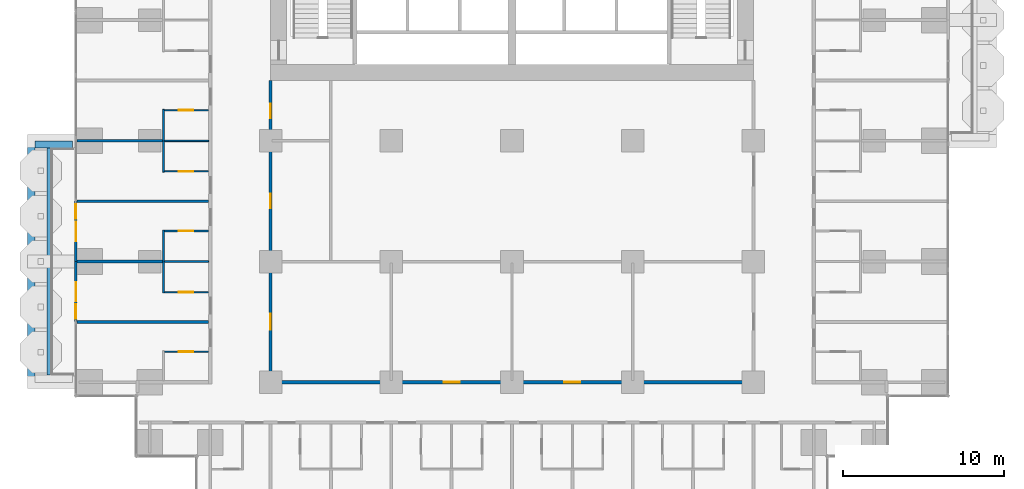
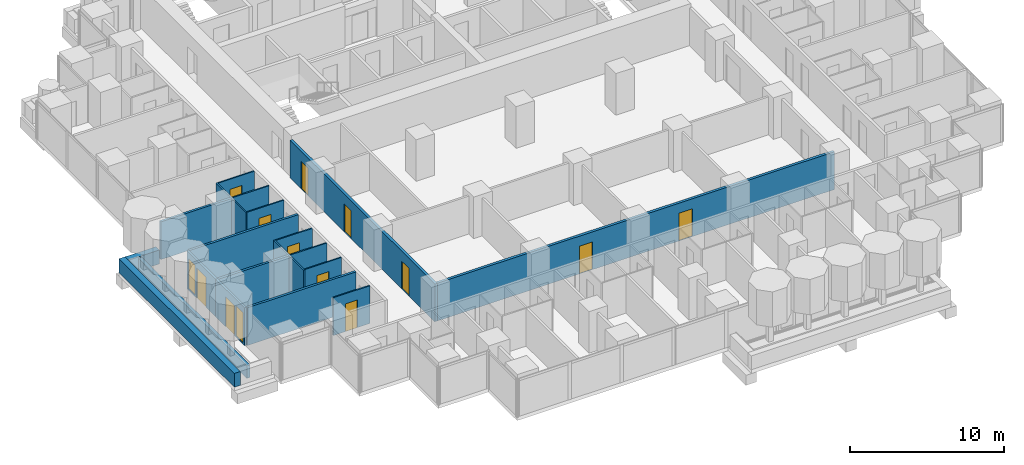
# One storey, part 11 of 19: 20 walls, 12 doors, 2 windows, 14 openings.
"""IFC4 building model written with IfcOpenShell, lengths in metres."""

from ifc_helpers import new_model, si_unit, direction, frame, frame_2d, origin, place, context, subcontext, project, spatial, rectangle, extrude, material, layer, layer_set, type_object, element, fill, save


model = new_model("IFC4")

# Units and contexts
model_context = context("Model", 3, precision=1e-05, world=origin(), true_north=direction((0.0, 1.0)))
body_context = subcontext(model_context, "Body", "Model", "MODEL_VIEW")
ifc_project = project(units=[si_unit("LENGTHUNIT", "METRE"), si_unit("AREAUNIT", "SQUARE_METRE"), si_unit("VOLUMEUNIT", "CUBIC_METRE"), si_unit("PLANEANGLEUNIT", "RADIAN"), si_unit("MASSUNIT", "GRAM", prefix="KILO")], contexts=[model_context])

# Site, building, storey
site_placement = place(None, origin())
site = spatial("IfcSite", under=ifc_project, at=site_placement, CompositionType="ELEMENT")
building_placement = place(site_placement, origin())
building = spatial("IfcBuilding", under=site, at=building_placement, Name="Pilkhan Gate Tower", CompositionType="ELEMENT")
storey_placement = place(building_placement, frame((0.0, 0.0, 39.5)))
storey = spatial("IfcBuildingStorey", under=building, at=storey_placement, Name="L06", CompositionType="ELEMENT", Elevation=39.5)

# Walls
ifc_material_1 = material(Name="Dense blockwork", Category="masonry")
ifc_layer_1 = layer(ifc_material_1, 0.175048828125)
ifc_layer_set_1 = layer_set([ifc_layer_1], Name="Acoustic party wall PW175")
wall_type_1 = type_object("IfcWallType", Name="Acoustic party wall PW175", PredefinedType="PARTITIONING", material=ifc_layer_set_1)
wall_1_placement = place(storey_placement, frame((47.985107421875, 56.25, 0.0), z_axis=(0.0, 0.0, 1.0), x_axis=(1.0, 0.0, 0.0)))
element("IfcWall", 1, at=wall_1_placement, inside=storey, type_object=wall_type_1, Name="Partition L06", PredefinedType="PARTITIONING", context=body_context, shape_type="SweptSolid", body=[
    extrude(rectangle(XDim=8.164794921875, YDim=0.175048828125, at=frame_2d((4.08251953125, 0.0))), origin(), (0.0, 0.0, 1.0), 3.0),
])
wall_2_placement = place(storey_placement, frame((47.985107421875, 60.0, 0.0), z_axis=(0.0, 0.0, 1.0), x_axis=(1.0, 0.0, 0.0)))
element("IfcWall", 2, at=wall_2_placement, inside=storey, type_object=wall_type_1, Name="Partition L06", PredefinedType="PARTITIONING", context=body_context, shape_type="SweptSolid", body=[
    extrude(rectangle(XDim=5.31494140625, YDim=0.175048828125, at=frame_2d((2.657470703125, 0.0))), origin(), (0.0, 0.0, 1.0), 3.0),
])
wall_3_placement = place(storey_placement, frame((47.985107421875, 63.75, 0.0), z_axis=(0.0, 0.0, 1.0), x_axis=(1.0, 0.0, 0.0)))
element("IfcWall", 3, at=wall_3_placement, inside=storey, type_object=wall_type_1, Name="Partition L06", PredefinedType="PARTITIONING", context=body_context, shape_type="SweptSolid", body=[
    extrude(rectangle(XDim=8.164794921875, YDim=0.175048828125, at=frame_2d((4.08251953125, 0.0))), origin(), (0.0, 0.0, 1.0), 3.0),
])
wall_4_placement = place(storey_placement, frame((47.985107421875, 67.5, 0.0), z_axis=(0.0, 0.0, 1.0), x_axis=(1.0, 0.0, 0.0)))
element("IfcWall", 4, at=wall_4_placement, inside=storey, type_object=wall_type_1, Name="Partition L06", PredefinedType="PARTITIONING", context=body_context, shape_type="SweptSolid", body=[
    extrude(rectangle(XDim=5.31494140625, YDim=0.175048828125, at=frame_2d((2.657470703125, 0.0))), origin(), (0.0, 0.0, 1.0), 3.0),
])
ifc_material_2 = material(Name="Concrete C40/50", Category="concrete")
ifc_layer_2 = layer(ifc_material_2, 0.25)
ifc_layer_set_2 = layer_set([ifc_layer_2], Name="Balcony planter BP250")
wall_type_2 = type_object("IfcWallType", Name="Balcony planter BP250", PredefinedType="USERDEFINED", material=ifc_layer_set_2)
wall_5_placement = place(storey_placement, frame((46.22509765625, 52.949951171875, 0.0), z_axis=(0.0, 0.0, 1.0), x_axis=(0.0, 1.0, 0.0)))
element("IfcWall", 5, at=wall_5_placement, inside=storey, type_object=wall_type_2, Name="Balcony planter L06 W", ObjectType="BALCONY PLANTER", PredefinedType="USERDEFINED", context=body_context, shape_type="SweptSolid", body=[
    extrude(rectangle(XDim=14.10009765625, YDim=0.25, at=frame_2d((7.050048828125, 0.0))), origin(), (0.0, 0.0, 1.0), 1.0),
])
ifc_material_3 = material(Name="Board-marked Concrete C40/50", Category="concrete")
ifc_layer_3 = layer(ifc_material_3, 0.449951171875)
ifc_layer_set_3 = layer_set([ifc_layer_3], Name="Balcony planter lip BL450")
wall_type_3 = type_object("IfcWallType", Name="Balcony planter lip BL450", PredefinedType="USERDEFINED", material=ifc_layer_set_3)
wall_6_placement = place(storey_placement, frame((45.125, 52.5, 0.0), z_axis=(0.0, 0.0, 1.0), x_axis=(0.0, 1.0, 0.0)))
element("IfcWall", 6, at=wall_6_placement, inside=storey, type_object=wall_type_3, Name="Balcony planter L06 W", ObjectType="BALCONY PLANTER", PredefinedType="USERDEFINED", context=body_context, shape_type="SweptSolid", body=[
    extrude(rectangle(XDim=15.0, YDim=0.449951171875, at=frame_2d((7.5, 0.0))), origin(), (0.0, 0.0, 1.0), 1.10009765625),
])
wall_7_placement = place(storey_placement, frame((47.679931640625, 67.27490234375, 0.0), z_axis=(0.0, 0.0, 1.0), x_axis=(-1.0, 0.0, 0.0)))
element("IfcWall", 7, at=wall_7_placement, inside=storey, type_object=wall_type_3, Name="Balcony planter L06 W", ObjectType="BALCONY PLANTER", PredefinedType="USERDEFINED", context=body_context, shape_type="SweptSolid", body=[
    extrude(rectangle(XDim=2.329833984375, YDim=0.449951171875, at=frame_2d((1.1650390625, 0.0))), origin(), (0.0, 0.0, 1.0), 1.10009765625),
])

# Wall, openings, doors
ifc_layer_4 = layer(ifc_material_1, 0.199951171875)
ifc_layer_set_4 = layer_set([ifc_layer_4], Name="Corridor wall FW200")
wall_type_4 = type_object("IfcWallType", Name="Corridor wall FW200", PredefinedType="PARTITIONING", material=ifc_layer_set_4)
wall_8_placement = place(storey_placement, frame((60.10009765625, 52.5, 0.0), z_axis=(0.0, 0.0, 1.0), x_axis=(1.0, 0.0, 0.0)))
wall_8 = element("IfcWall", 8, at=wall_8_placement, inside=storey, type_object=wall_type_4, Name="Partition L06", PredefinedType="PARTITIONING", context=body_context, shape_type="SweptSolid", body=[
    extrude(rectangle(XDim=29.7998046875, YDim=0.199951171875, at=frame_2d((14.89990234375, 0.0))), origin(), (0.0, 0.0, 1.0), 3.0),
])
opening_1_placement = place(wall_8_placement, frame((10.64990234375, 0.0, 0.0)))
opening_1 = element("IfcOpeningElement", 9, at=opening_1_placement, cuts=wall_8, Name="Opening L06-68", PredefinedType="OPENING", context=body_context, shape_type="SweptSolid", body=[
    extrude(rectangle(XDim=1.0, YDim=2.199951171875, at=frame_2d((0.5, 1.10009765625))), frame((0.0, 0.10986328125, 0.0), z_axis=(0.0, -1.0, 0.0), x_axis=(1.0, 0.0, 0.0)), (0.0, 0.0, 1.0), 0.219970703125),
])
opening_2_placement = place(wall_8_placement, frame((18.14990234375, 0.0, 0.0)))
opening_2 = element("IfcOpeningElement", 10, at=opening_2_placement, cuts=wall_8, Name="Opening L06-69", PredefinedType="OPENING", context=body_context, shape_type="SweptSolid", body=[
    extrude(rectangle(XDim=1.0, YDim=2.199951171875, at=frame_2d((0.5, 1.10009765625))), frame((0.0, 0.10986328125, 0.0), z_axis=(0.0, -1.0, 0.0), x_axis=(1.0, 0.0, 0.0)), (0.0, 0.0, 1.0), 0.219970703125),
])
ifc_material_4 = material(Name="Timber flush door, 30 minute fire resisting", Category="wood")
door_type_1 = type_object("IfcDoorType", Name="Room door D03 1000x2200", OperationType="SINGLE_SWING_LEFT", PredefinedType="DOOR", material=ifc_material_4)
door_1_placement = place(opening_1_placement, origin())
door_1 = element("IfcDoor", 11, at=door_1_placement, inside=storey, type_object=door_type_1, Name="Room door", OperationType="SINGLE_SWING_LEFT", OverallHeight=2.199951171875, OverallWidth=1.0, PredefinedType="DOOR", context=body_context, shape_type="SweptSolid", body=[
    extrude(rectangle(XDim=1.0, YDim=2.199951171875, at=frame_2d((0.5, 1.10009765625))), frame((0.0, 0.02490234375, 0.0), z_axis=(0.0, -1.0, 0.0), x_axis=(1.0, 0.0, 0.0)), (0.0, 0.0, 1.0), 0.050048828125),
])
fill(opening_1, door_1)
door_2_placement = place(opening_2_placement, origin())
door_2 = element("IfcDoor", 12, at=door_2_placement, inside=storey, type_object=door_type_1, Name="Room door", OperationType="SINGLE_SWING_LEFT", OverallHeight=2.199951171875, OverallWidth=1.0, PredefinedType="DOOR", context=body_context, shape_type="SweptSolid", body=[
    extrude(rectangle(XDim=1.0, YDim=2.199951171875, at=frame_2d((0.5, 1.10009765625))), frame((0.0, 0.02490234375, 0.0), z_axis=(0.0, -1.0, 0.0), x_axis=(1.0, 0.0, 0.0)), (0.0, 0.0, 1.0), 0.050048828125),
])
fill(opening_2, door_2)

wall_9_placement = place(storey_placement, frame((60.0, 52.39990234375, 0.0), z_axis=(0.0, 0.0, 1.0), x_axis=(0.0, 1.0, 0.0)))
wall_9 = element("IfcWall", 13, at=wall_9_placement, inside=storey, type_object=wall_type_4, Name="Partition L06", PredefinedType="PARTITIONING", context=body_context, shape_type="SweptSolid", body=[
    extrude(rectangle(XDim=18.840087890625, YDim=0.199951171875, at=frame_2d((9.419921875, 0.0))), origin(), (0.0, 0.0, 1.0), 3.0),
])
opening_3_placement = place(wall_9_placement, frame((3.35009765625, 0.0, 0.0)))
opening_3 = element("IfcOpeningElement", 14, at=opening_3_placement, cuts=wall_9, Name="Opening L06-67", PredefinedType="OPENING", context=body_context, shape_type="SweptSolid", body=[
    extrude(rectangle(XDim=1.0, YDim=2.199951171875, at=frame_2d((0.5, 1.10009765625))), frame((0.0, 0.10986328125, 0.0), z_axis=(0.0, -1.0, 0.0), x_axis=(1.0, 0.0, 0.0)), (0.0, 0.0, 1.0), 0.219970703125),
])
opening_4_placement = place(wall_9_placement, frame((10.89990234375, 0.0, 0.0)))
opening_4 = element("IfcOpeningElement", 15, at=opening_4_placement, cuts=wall_9, Name="Opening L06-71", PredefinedType="OPENING", context=body_context, shape_type="SweptSolid", body=[
    extrude(rectangle(XDim=0.89990234375, YDim=2.199951171875, at=frame_2d((0.449951171875, 1.10009765625))), frame((0.0, 0.10986328125, 0.0), z_axis=(0.0, -1.0, 0.0), x_axis=(1.0, 0.0, 0.0)), (0.0, 0.0, 1.0), 0.219970703125),
])
opening_5_placement = place(wall_9_placement, frame((16.5, 0.0, 0.0)))
opening_5 = element("IfcOpeningElement", 16, at=opening_5_placement, cuts=wall_9, Name="Opening L06-72", PredefinedType="OPENING", context=body_context, shape_type="SweptSolid", body=[
    extrude(rectangle(XDim=0.89990234375, YDim=2.199951171875, at=frame_2d((0.449951171875, 1.10009765625))), frame((0.0, 0.10986328125, 0.0), z_axis=(0.0, -1.0, 0.0), x_axis=(1.0, 0.0, 0.0)), (0.0, 0.0, 1.0), 0.219970703125),
])
door_3_placement = place(opening_3_placement, origin())
door_3 = element("IfcDoor", 17, at=door_3_placement, inside=storey, type_object=door_type_1, Name="Room door", OperationType="SINGLE_SWING_RIGHT", OverallHeight=2.199951171875, OverallWidth=1.0, PredefinedType="DOOR", context=body_context, shape_type="SweptSolid", body=[
    extrude(rectangle(XDim=1.0, YDim=2.199951171875, at=frame_2d((0.5, 1.10009765625))), frame((0.0, 0.02490234375, 0.0), z_axis=(0.0, -1.0, 0.0), x_axis=(1.0, 0.0, 0.0)), (0.0, 0.0, 1.0), 0.050048828125),
])
fill(opening_3, door_3)
ifc_material_5 = material(Name="Timber flush door, 60 minute fire resisting, self-closing", Category="wood")
door_type_2 = type_object("IfcDoorType", Name="Store door D05 900x2200", OperationType="SINGLE_SWING_LEFT", PredefinedType="DOOR", material=ifc_material_5)
door_4_placement = place(opening_4_placement, origin())
door_4 = element("IfcDoor", 18, at=door_4_placement, inside=storey, type_object=door_type_2, Name="Store door", OperationType="SINGLE_SWING_LEFT", OverallHeight=2.199951171875, OverallWidth=0.89990234375, PredefinedType="DOOR", context=body_context, shape_type="SweptSolid", body=[
    extrude(rectangle(XDim=0.89990234375, YDim=2.199951171875, at=frame_2d((0.449951171875, 1.10009765625))), frame((0.0, 0.02490234375, 0.0), z_axis=(0.0, -1.0, 0.0), x_axis=(1.0, 0.0, 0.0)), (0.0, 0.0, 1.0), 0.050048828125),
])
fill(opening_4, door_4)
door_5_placement = place(opening_5_placement, origin())
door_5 = element("IfcDoor", 19, at=door_5_placement, inside=storey, type_object=door_type_2, Name="Store door", OperationType="SINGLE_SWING_RIGHT", OverallHeight=2.199951171875, OverallWidth=0.89990234375, PredefinedType="DOOR", context=body_context, shape_type="SweptSolid", body=[
    extrude(rectangle(XDim=0.89990234375, YDim=2.199951171875, at=frame_2d((0.449951171875, 1.10009765625))), frame((0.0, 0.02490234375, 0.0), z_axis=(0.0, -1.0, 0.0), x_axis=(1.0, 0.0, 0.0)), (0.0, 0.0, 1.0), 0.050048828125),
])
fill(opening_5, door_5)

# Wall, openings, door, window
ifc_material_6 = material(Name="Pale anodised aluminium, clear laminated glazing", Category="aluminium")
ifc_layer_5 = layer(ifc_material_6, 0.14990234375)
ifc_layer_set_5 = layer_set([ifc_layer_5], Name="Facade infill wall IW150")
wall_type_5 = type_object("IfcWallType", Name="Facade infill wall IW150", PredefinedType="SOLIDWALL", material=ifc_layer_set_5)
wall_10_placement = place(storey_placement, frame((47.905029296875, 56.25, 0.0), z_axis=(0.0, 0.0, 1.0), x_axis=(0.0, 1.0, 0.0)))
wall_10 = element("IfcWall", 20, at=wall_10_placement, inside=storey, type_object=wall_type_5, Name="Infill wall L06 W", PredefinedType="SOLIDWALL", context=body_context, shape_type="SweptSolid", body=[
    extrude(rectangle(XDim=3.75, YDim=0.14990234375, at=frame_2d((1.875, 0.0))), origin(), (0.0, 0.0, 1.0), 3.0),
])
opening_6_placement = place(wall_10_placement, frame((0.1875, 0.0, 0.10009765625)))
opening_6 = element("IfcOpeningElement", 21, at=opening_6_placement, cuts=wall_10, Name="Opening W1", PredefinedType="OPENING", context=body_context, shape_type="SweptSolid", body=[
    extrude(rectangle(XDim=0.89990234375, YDim=2.39990234375, at=frame_2d((0.449951171875, 1.199951171875))), frame((0.0, 0.0849609375, 0.0), z_axis=(0.0, -1.0, 0.0), x_axis=(1.0, 0.0, 0.0)), (0.0, 0.0, 1.0), 0.169921875),
])
opening_7_placement = place(wall_10_placement, frame((1.27490234375, 0.0, 0.0)))
opening_7 = element("IfcOpeningElement", 22, at=opening_7_placement, cuts=wall_10, Name="Opening D1", PredefinedType="OPENING", context=body_context, shape_type="SweptSolid", body=[
    extrude(rectangle(XDim=1.199951171875, YDim=2.39990234375, at=frame_2d((0.60009765625, 1.199951171875))), frame((0.0, 0.0849609375, 0.0), z_axis=(0.0, -1.0, 0.0), x_axis=(1.0, 0.0, 0.0)), (0.0, 0.0, 1.0), 0.169921875),
])
ifc_material_7 = material(Name="Pale anodised aluminium, clear glazing", Category="aluminium")
door_type_3 = type_object("IfcDoorType", Name="Balcony door D1 1200x2400", OperationType="SINGLE_SWING_LEFT", PredefinedType="DOOR", material=ifc_material_7)
door_6_placement = place(opening_7_placement, origin())
door_6 = element("IfcDoor", 23, at=door_6_placement, inside=storey, type_object=door_type_3, Name="Balcony door L06", OperationType="SINGLE_SWING_LEFT", OverallHeight=2.39990234375, OverallWidth=1.199951171875, PredefinedType="DOOR", context=body_context, shape_type="SweptSolid", body=[
    extrude(rectangle(XDim=1.199951171875, YDim=2.39990234375, at=frame_2d((0.60009765625, 1.199951171875))), frame((0.0, 0.02490234375, 0.0), z_axis=(0.0, -1.0, 0.0), x_axis=(1.0, 0.0, 0.0)), (0.0, 0.0, 1.0), 0.050048828125),
])
fill(opening_7, door_6)
ifc_material_8 = material(Name="Pale anodised aluminium, clear double glazing", Category="aluminium")
window_type = type_object("IfcWindowType", Name="Window W1 900x2400", PartitioningType="SINGLE_PANEL", PredefinedType="WINDOW", material=ifc_material_8)
window_1_placement = place(opening_6_placement, origin())
window_1 = element("IfcWindow", 24, at=window_1_placement, inside=storey, type_object=window_type, Name="Window L06", OverallHeight=2.39990234375, OverallWidth=0.89990234375, PartitioningType="SINGLE_PANEL", PredefinedType="WINDOW", context=body_context, shape_type="SweptSolid", body=[
    extrude(rectangle(XDim=0.89990234375, YDim=2.39990234375, at=frame_2d((0.449951171875, 1.199951171875))), frame((0.0, 0.030029296875, 0.0), z_axis=(0.0, -1.0, 0.0), x_axis=(1.0, 0.0, 0.0)), (0.0, 0.0, 1.0), 0.06005859375),
])
fill(opening_6, window_1)

wall_11_placement = place(storey_placement, frame((47.905029296875, 60.0, 0.0), z_axis=(0.0, 0.0, 1.0), x_axis=(0.0, 1.0, 0.0)))
wall_11 = element("IfcWall", 25, at=wall_11_placement, inside=storey, type_object=wall_type_5, Name="Infill wall L06 W", PredefinedType="SOLIDWALL", context=body_context, shape_type="SweptSolid", body=[
    extrude(rectangle(XDim=3.75, YDim=0.14990234375, at=frame_2d((1.875, 0.0))), origin(), (0.0, 0.0, 1.0), 3.0),
])
opening_8_placement = place(wall_11_placement, frame((1.27490234375, 0.0, 0.0)))
opening_8 = element("IfcOpeningElement", 26, at=opening_8_placement, cuts=wall_11, Name="Opening D1", PredefinedType="OPENING", context=body_context, shape_type="SweptSolid", body=[
    extrude(rectangle(XDim=1.199951171875, YDim=2.39990234375, at=frame_2d((0.60009765625, 1.199951171875))), frame((0.0, 0.0849609375, 0.0), z_axis=(0.0, -1.0, 0.0), x_axis=(1.0, 0.0, 0.0)), (0.0, 0.0, 1.0), 0.169921875),
])
opening_9_placement = place(wall_11_placement, frame((2.66259765625, 0.0, 0.10009765625)))
opening_9 = element("IfcOpeningElement", 27, at=opening_9_placement, cuts=wall_11, Name="Opening W1", PredefinedType="OPENING", context=body_context, shape_type="SweptSolid", body=[
    extrude(rectangle(XDim=0.89990234375, YDim=2.39990234375, at=frame_2d((0.449951171875, 1.199951171875))), frame((0.0, 0.0849609375, 0.0), z_axis=(0.0, -1.0, 0.0), x_axis=(1.0, 0.0, 0.0)), (0.0, 0.0, 1.0), 0.169921875),
])
door_7_placement = place(opening_8_placement, origin())
door_7 = element("IfcDoor", 28, at=door_7_placement, inside=storey, type_object=door_type_3, Name="Balcony door L06", OperationType="SINGLE_SWING_LEFT", OverallHeight=2.39990234375, OverallWidth=1.199951171875, PredefinedType="DOOR", context=body_context, shape_type="SweptSolid", body=[
    extrude(rectangle(XDim=1.199951171875, YDim=2.39990234375, at=frame_2d((0.60009765625, 1.199951171875))), frame((0.0, 0.02490234375, 0.0), z_axis=(0.0, -1.0, 0.0), x_axis=(1.0, 0.0, 0.0)), (0.0, 0.0, 1.0), 0.050048828125),
])
fill(opening_8, door_7)
window_2_placement = place(opening_9_placement, origin())
window_2 = element("IfcWindow", 29, at=window_2_placement, inside=storey, type_object=window_type, Name="Window L06", OverallHeight=2.39990234375, OverallWidth=0.89990234375, PartitioningType="SINGLE_PANEL", PredefinedType="WINDOW", context=body_context, shape_type="SweptSolid", body=[
    extrude(rectangle(XDim=0.89990234375, YDim=2.39990234375, at=frame_2d((0.449951171875, 1.199951171875))), frame((0.0, 0.030029296875, 0.0), z_axis=(0.0, -1.0, 0.0), x_axis=(1.0, 0.0, 0.0)), (0.0, 0.0, 1.0), 0.06005859375),
])
fill(opening_9, window_2)

# Wall, opening, door
ifc_material_9 = material(Name="Moisture resistant board, tiled")
ifc_layer_6 = layer(ifc_material_9, 0.10009765625)
ifc_layer_set_6 = layer_set([ifc_layer_6], Name="Wet wall PW100")
wall_type_6 = type_object("IfcWallType", Name="Wet wall PW100", PredefinedType="PARTITIONING", material=ifc_layer_set_6)
wall_12_placement = place(storey_placement, frame((53.39990234375, 54.39990234375, 0.0), z_axis=(0.0, 0.0, 1.0), x_axis=(1.0, 0.0, 0.0)))
wall_12 = element("IfcWall", 30, at=wall_12_placement, inside=storey, type_object=wall_type_6, Name="Partition L06", PredefinedType="PARTITIONING", context=body_context, shape_type="SweptSolid", body=[
    extrude(rectangle(XDim=2.75, YDim=0.10009765625, at=frame_2d((1.375, 0.0))), origin(), (0.0, 0.0, 1.0), 3.0),
])
opening_10_placement = place(wall_12_placement, frame((0.89990234375, 0.0, 0.0)))
opening_10 = element("IfcOpeningElement", 31, at=opening_10_placement, cuts=wall_12, Name="Opening L06-27", PredefinedType="OPENING", context=body_context, shape_type="SweptSolid", body=[
    extrude(rectangle(XDim=0.89990234375, YDim=2.199951171875, at=frame_2d((0.449951171875, 1.10009765625))), frame((0.0, 0.06005859375, 0.0), z_axis=(0.0, -1.0, 0.0), x_axis=(1.0, 0.0, 0.0)), (0.0, 0.0, 1.0), 0.1201171875),
])
ifc_material_10 = material(Name="Timber flush door", Category="wood")
door_type_4 = type_object("IfcDoorType", Name="Bathroom door D02 900x2200", OperationType="SINGLE_SWING_RIGHT", PredefinedType="DOOR", material=ifc_material_10)
door_8_placement = place(opening_10_placement, origin())
door_8 = element("IfcDoor", 32, at=door_8_placement, inside=storey, type_object=door_type_4, Name="Bathroom door", OperationType="SINGLE_SWING_RIGHT", OverallHeight=2.199951171875, OverallWidth=0.89990234375, PredefinedType="DOOR", context=body_context, shape_type="SweptSolid", body=[
    extrude(rectangle(XDim=0.89990234375, YDim=2.199951171875, at=frame_2d((0.449951171875, 1.10009765625))), frame((0.0, 0.02490234375, 0.0), z_axis=(0.0, -1.0, 0.0), x_axis=(1.0, 0.0, 0.0)), (0.0, 0.0, 1.0), 0.050048828125),
])
fill(opening_10, door_8)

wall_13_placement = place(storey_placement, frame((53.39990234375, 58.10009765625, 0.0), z_axis=(0.0, 0.0, 1.0), x_axis=(1.0, 0.0, 0.0)))
wall_13 = element("IfcWall", 33, at=wall_13_placement, inside=storey, type_object=wall_type_6, Name="Partition L06", PredefinedType="PARTITIONING", context=body_context, shape_type="SweptSolid", body=[
    extrude(rectangle(XDim=2.75, YDim=0.10009765625, at=frame_2d((1.375, 0.0))), origin(), (0.0, 0.0, 1.0), 3.0),
])
opening_11_placement = place(wall_13_placement, frame((0.89990234375, 0.0, 0.0)))
opening_11 = element("IfcOpeningElement", 34, at=opening_11_placement, cuts=wall_13, Name="Opening L06-29", PredefinedType="OPENING", context=body_context, shape_type="SweptSolid", body=[
    extrude(rectangle(XDim=0.89990234375, YDim=2.199951171875, at=frame_2d((0.449951171875, 1.10009765625))), frame((0.0, 0.06005859375, 0.0), z_axis=(0.0, -1.0, 0.0), x_axis=(1.0, 0.0, 0.0)), (0.0, 0.0, 1.0), 0.1201171875),
])
door_9_placement = place(opening_11_placement, origin())
door_9 = element("IfcDoor", 35, at=door_9_placement, inside=storey, type_object=door_type_4, Name="Bathroom door", OperationType="SINGLE_SWING_RIGHT", OverallHeight=2.199951171875, OverallWidth=0.89990234375, PredefinedType="DOOR", context=body_context, shape_type="SweptSolid", body=[
    extrude(rectangle(XDim=0.89990234375, YDim=2.199951171875, at=frame_2d((0.449951171875, 1.10009765625))), frame((0.0, 0.02490234375, 0.0), z_axis=(0.0, -1.0, 0.0), x_axis=(1.0, 0.0, 0.0)), (0.0, 0.0, 1.0), 0.050048828125),
])
fill(opening_11, door_9)

# Wall
wall_14_placement = place(storey_placement, frame((53.39990234375, 60.0, 0.0), z_axis=(0.0, 0.0, 1.0), x_axis=(1.0, 0.0, 0.0)))
element("IfcWall", 36, at=wall_14_placement, inside=storey, type_object=wall_type_6, Name="Partition L06", PredefinedType="PARTITIONING", context=body_context, shape_type="SweptSolid", body=[
    extrude(rectangle(XDim=2.75, YDim=0.10009765625, at=frame_2d((1.375, 0.0))), origin(), (0.0, 0.0, 1.0), 3.0),
])

# Wall, opening, door
wall_15_placement = place(storey_placement, frame((53.39990234375, 61.89990234375, 0.0), z_axis=(0.0, 0.0, 1.0), x_axis=(1.0, 0.0, 0.0)))
wall_15 = element("IfcWall", 37, at=wall_15_placement, inside=storey, type_object=wall_type_6, Name="Partition L06", PredefinedType="PARTITIONING", context=body_context, shape_type="SweptSolid", body=[
    extrude(rectangle(XDim=2.75, YDim=0.10009765625, at=frame_2d((1.375, 0.0))), origin(), (0.0, 0.0, 1.0), 3.0),
])
opening_12_placement = place(wall_15_placement, frame((0.89990234375, 0.0, 0.0)))
opening_12 = element("IfcOpeningElement", 38, at=opening_12_placement, cuts=wall_15, Name="Opening L06-31", PredefinedType="OPENING", context=body_context, shape_type="SweptSolid", body=[
    extrude(rectangle(XDim=0.89990234375, YDim=2.199951171875, at=frame_2d((0.449951171875, 1.10009765625))), frame((0.0, 0.06005859375, 0.0), z_axis=(0.0, -1.0, 0.0), x_axis=(1.0, 0.0, 0.0)), (0.0, 0.0, 1.0), 0.1201171875),
])
door_10_placement = place(opening_12_placement, origin())
door_10 = element("IfcDoor", 39, at=door_10_placement, inside=storey, type_object=door_type_4, Name="Bathroom door", OperationType="SINGLE_SWING_RIGHT", OverallHeight=2.199951171875, OverallWidth=0.89990234375, PredefinedType="DOOR", context=body_context, shape_type="SweptSolid", body=[
    extrude(rectangle(XDim=0.89990234375, YDim=2.199951171875, at=frame_2d((0.449951171875, 1.10009765625))), frame((0.0, 0.02490234375, 0.0), z_axis=(0.0, -1.0, 0.0), x_axis=(1.0, 0.0, 0.0)), (0.0, 0.0, 1.0), 0.050048828125),
])
fill(opening_12, door_10)

wall_16_placement = place(storey_placement, frame((53.39990234375, 65.60009765625, 0.0), z_axis=(0.0, 0.0, 1.0), x_axis=(1.0, 0.0, 0.0)))
wall_16 = element("IfcWall", 40, at=wall_16_placement, inside=storey, type_object=wall_type_6, Name="Partition L06", PredefinedType="PARTITIONING", context=body_context, shape_type="SweptSolid", body=[
    extrude(rectangle(XDim=2.75, YDim=0.10009765625, at=frame_2d((1.375, 0.0))), origin(), (0.0, 0.0, 1.0), 3.0),
])
opening_13_placement = place(wall_16_placement, frame((0.89990234375, 0.0, 0.0)))
opening_13 = element("IfcOpeningElement", 41, at=opening_13_placement, cuts=wall_16, Name="Opening L06-33", PredefinedType="OPENING", context=body_context, shape_type="SweptSolid", body=[
    extrude(rectangle(XDim=0.89990234375, YDim=2.199951171875, at=frame_2d((0.449951171875, 1.10009765625))), frame((0.0, 0.06005859375, 0.0), z_axis=(0.0, -1.0, 0.0), x_axis=(1.0, 0.0, 0.0)), (0.0, 0.0, 1.0), 0.1201171875),
])
door_11_placement = place(opening_13_placement, origin())
door_11 = element("IfcDoor", 42, at=door_11_placement, inside=storey, type_object=door_type_4, Name="Bathroom door", OperationType="SINGLE_SWING_RIGHT", OverallHeight=2.199951171875, OverallWidth=0.89990234375, PredefinedType="DOOR", context=body_context, shape_type="SweptSolid", body=[
    extrude(rectangle(XDim=0.89990234375, YDim=2.199951171875, at=frame_2d((0.449951171875, 1.10009765625))), frame((0.0, 0.02490234375, 0.0), z_axis=(0.0, -1.0, 0.0), x_axis=(1.0, 0.0, 0.0)), (0.0, 0.0, 1.0), 0.050048828125),
])
fill(opening_13, door_11)

# Wall
wall_17_placement = place(storey_placement, frame((53.39990234375, 67.5, 0.0), z_axis=(0.0, 0.0, 1.0), x_axis=(1.0, 0.0, 0.0)))
element("IfcWall", 43, at=wall_17_placement, inside=storey, type_object=wall_type_6, Name="Partition L06", PredefinedType="PARTITIONING", context=body_context, shape_type="SweptSolid", body=[
    extrude(rectangle(XDim=2.75, YDim=0.10009765625, at=frame_2d((1.375, 0.0))), origin(), (0.0, 0.0, 1.0), 3.0),
])

# Wall, opening, door
wall_18_placement = place(storey_placement, frame((53.39990234375, 69.39990234375, 0.0), z_axis=(0.0, 0.0, 1.0), x_axis=(1.0, 0.0, 0.0)))
wall_18 = element("IfcWall", 44, at=wall_18_placement, inside=storey, type_object=wall_type_6, Name="Partition L06", PredefinedType="PARTITIONING", context=body_context, shape_type="SweptSolid", body=[
    extrude(rectangle(XDim=2.75, YDim=0.10009765625, at=frame_2d((1.375, 0.0))), origin(), (0.0, 0.0, 1.0), 3.0),
])
opening_14_placement = place(wall_18_placement, frame((0.89990234375, 0.0, 0.0)))
opening_14 = element("IfcOpeningElement", 45, at=opening_14_placement, cuts=wall_18, Name="Opening L06-35", PredefinedType="OPENING", context=body_context, shape_type="SweptSolid", body=[
    extrude(rectangle(XDim=0.89990234375, YDim=2.199951171875, at=frame_2d((0.449951171875, 1.10009765625))), frame((0.0, 0.06005859375, 0.0), z_axis=(0.0, -1.0, 0.0), x_axis=(1.0, 0.0, 0.0)), (0.0, 0.0, 1.0), 0.1201171875),
])
door_12_placement = place(opening_14_placement, origin())
door_12 = element("IfcDoor", 46, at=door_12_placement, inside=storey, type_object=door_type_4, Name="Bathroom door", OperationType="SINGLE_SWING_RIGHT", OverallHeight=2.199951171875, OverallWidth=0.89990234375, PredefinedType="DOOR", context=body_context, shape_type="SweptSolid", body=[
    extrude(rectangle(XDim=0.89990234375, YDim=2.199951171875, at=frame_2d((0.449951171875, 1.10009765625))), frame((0.0, 0.02490234375, 0.0), z_axis=(0.0, -1.0, 0.0), x_axis=(1.0, 0.0, 0.0)), (0.0, 0.0, 1.0), 0.050048828125),
])
fill(opening_14, door_12)

# Walls
for number, where, z_axis, x_axis, name in (
    (47, (53.35009765625, 58.050048828125, 0.0), (0.0, 0.0, 1.0), (0.0, 1.0, 0.0), "Partition L06"),
    (48, (53.35009765625, 65.550048828125, 0.0), (0.0, 0.0, 1.0), (0.0, 1.0, 0.0), "Partition L06"),
):
    element("IfcWall", number, at=place(storey_placement, frame(where, z_axis=z_axis, x_axis=x_axis)), inside=storey, type_object=wall_type_6, Name=name, PredefinedType="PARTITIONING", context=body_context, shape_type="SweptSolid", body=[
        extrude(rectangle(XDim=3.89990234375, YDim=0.10009765625, at=frame_2d((1.949951171875, 0.0))), origin(), (0.0, 0.0, 1.0), 3.0),
    ])

save(model, "model.ifc")
